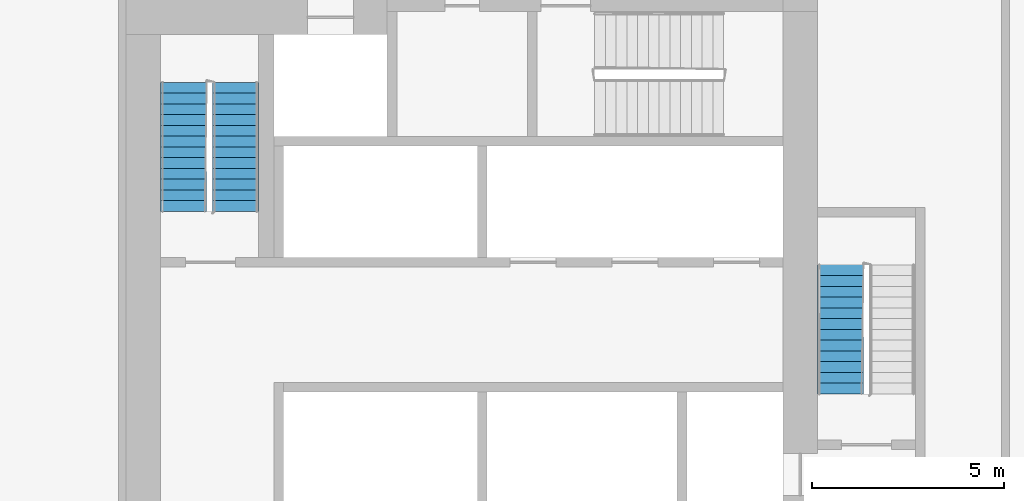
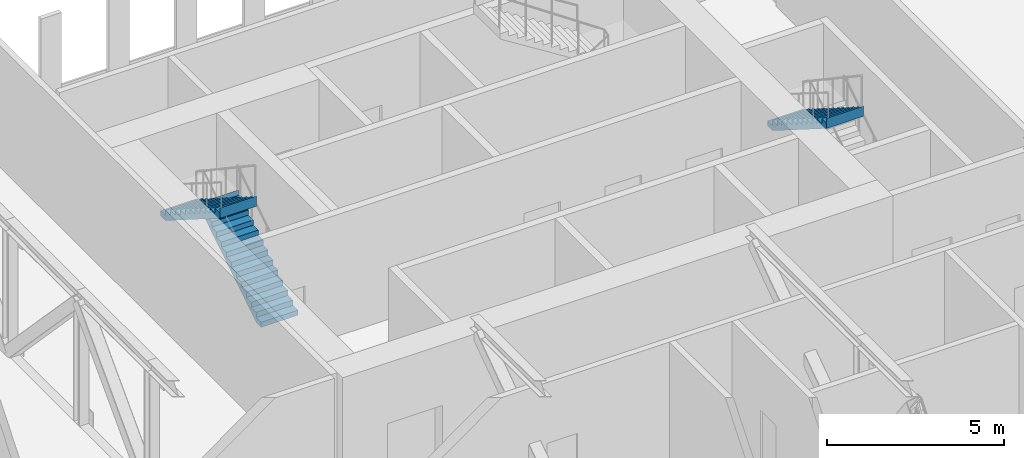
# One storey, part 19 of 22: 3 stair flights, 2 elements without a shape of their own.
"""IFC4 building model written with IfcOpenShell, lengths in metres."""

from ifc_helpers import new_model, si_unit, direction, frame, origin, place, context, subcontext, project, spatial, faceted_brep, material, type_object, element, aggregate, save


model = new_model("IFC4")

# Units and contexts
model_context = context("Model", 3, precision=1e-05, world=origin(), true_north=direction((0.0, 1.0)))
body_context = subcontext(model_context, "Body", "Model", "MODEL_VIEW")
ifc_project = project(units=[si_unit("LENGTHUNIT", "METRE"), si_unit("AREAUNIT", "SQUARE_METRE"), si_unit("VOLUMEUNIT", "CUBIC_METRE"), si_unit("PLANEANGLEUNIT", "RADIAN"), si_unit("MASSUNIT", "GRAM", prefix="KILO")], contexts=[model_context])

# Site, building, storey
site_placement = place(None, origin())
site = spatial("IfcSite", under=ifc_project, at=site_placement, CompositionType="ELEMENT")
building_placement = place(site_placement, origin())
building = spatial("IfcBuilding", under=site, at=building_placement, Name="Kajstack Hotel Tower", CompositionType="ELEMENT")
storey_placement = place(building_placement, frame((0.0, 0.0, 99.60009765625)))
storey = spatial("IfcBuildingStorey", under=building, at=storey_placement, Name="L21", CompositionType="ELEMENT", Elevation=99.60009765625)

# Stair, stair flight
ifc_material = material(Name="Concrete C40/50", Category="concrete")
stair_type = type_object("IfcStairType", Name="Exit stair 1200", PredefinedType="HALF_TURN_STAIR", material=ifc_material)
stair_1_placement = place(storey_placement, origin())
stair_1 = element("IfcStair", 1, at=stair_1_placement, inside=storey, type_object=stair_type, Name="L21 stair E1", PredefinedType="HALF_TURN_STAIR")
stair_flight_type = type_object("IfcStairFlightType", Name="Exit stair flight 1200", PredefinedType="STRAIGHT", material=ifc_material)
stair_flight_1_placement = place(storey_placement, frame((32.10009765625, 8.610107421875, 2.2998046875), z_axis=(0.0, 0.0, 1.0), x_axis=(0.0, -1.0, 0.0)))
stair_flight_1 = element("IfcStairFlight", 2, at=stair_flight_1_placement, type_object=stair_flight_type, Name="E1 flight 2", NumberOfRisers=13, NumberOfTreads=12, PredefinedType="STRAIGHT", RiserHeight=0.176923077, TreadLength=0.28, context=body_context, shape_type="Brep", body=[
    faceted_brep([(0.281005859375, -0.60009765625, 0.0), (3.360595703125, -0.60009765625, 1.94580078125), (3.360595703125, -0.60009765625, 2.300048828125), (3.360107421875, -0.60009765625, 2.300048828125), (3.360107421875, -0.60009765625, 2.123046875), (3.080078125, -0.60009765625, 2.123046875), (3.080078125, -0.60009765625, 1.946044921875), (2.800048828125, -0.60009765625, 1.946044921875), (2.800048828125, -0.60009765625, 1.769287109375), (2.52001953125, -0.60009765625, 1.769287109375), (2.52001953125, -0.60009765625, 1.59228515625), (2.239990234375, -0.60009765625, 1.59228515625), (2.239990234375, -0.60009765625, 1.415283203125), (1.9599609375, -0.60009765625, 1.415283203125), (1.9599609375, -0.60009765625, 1.238525390625), (1.679931640625, -0.60009765625, 1.238525390625), (1.679931640625, -0.60009765625, 1.0615234375), (1.39990234375, -0.60009765625, 1.0615234375), (1.39990234375, -0.60009765625, 0.884521484375), (1.1201171875, -0.60009765625, 0.884521484375), (1.1201171875, -0.60009765625, 0.707763671875), (0.840087890625, -0.60009765625, 0.707763671875), (0.840087890625, -0.60009765625, 0.53076171875), (0.56005859375, -0.60009765625, 0.53076171875), (0.56005859375, -0.60009765625, 0.353759765625), (0.280029296875, -0.60009765625, 0.353759765625), (0.280029296875, -0.60009765625, 0.177001953125), (-0.00048828125, -0.60009765625, 0.177001953125), (-0.00048828125, -0.60009765625, 0.0), (-0.00048828125, 0.60009765625, 0.0), (-0.00048828125, 0.60009765625, 0.177001953125), (0.280029296875, 0.60009765625, 0.177001953125), (0.280029296875, 0.60009765625, 0.353759765625), (0.56005859375, 0.60009765625, 0.353759765625), (0.56005859375, 0.60009765625, 0.53076171875), (0.840087890625, 0.60009765625, 0.53076171875), (0.840087890625, 0.60009765625, 0.707763671875), (1.1201171875, 0.60009765625, 0.707763671875), (1.1201171875, 0.60009765625, 0.884521484375), (1.39990234375, 0.60009765625, 0.884521484375), (1.39990234375, 0.60009765625, 1.0615234375), (1.679931640625, 0.60009765625, 1.0615234375), (1.679931640625, 0.60009765625, 1.238525390625), (1.9599609375, 0.60009765625, 1.238525390625), (1.9599609375, 0.60009765625, 1.415283203125), (2.239990234375, 0.60009765625, 1.415283203125), (2.239990234375, 0.60009765625, 1.59228515625), (2.52001953125, 0.60009765625, 1.59228515625), (2.52001953125, 0.60009765625, 1.769287109375), (2.800048828125, 0.60009765625, 1.769287109375), (2.800048828125, 0.60009765625, 1.946044921875), (3.080078125, 0.60009765625, 1.946044921875), (3.080078125, 0.60009765625, 2.123046875), (3.360107421875, 0.60009765625, 2.123046875), (3.360107421875, 0.60009765625, 2.300048828125), (3.360595703125, 0.60009765625, 2.300048828125), (3.360595703125, 0.60009765625, 1.94580078125), (0.281005859375, 0.60009765625, 0.0), (-0.00048828125, -0.300048828125, 0.177001953125), (-0.00048828125, 0.0, 0.177001953125), (-0.00048828125, 0.300048828125, 0.177001953125), (-0.00048828125, 0.300048828125, 0.0), (-0.00048828125, 0.0, 0.0), (-0.00048828125, -0.300048828125, 0.0), (0.280029296875, -0.300048828125, 0.177001953125), (0.280029296875, 0.0, 0.177001953125), (0.280029296875, 0.300048828125, 0.177001953125), (0.280029296875, -0.300048828125, 0.353759765625), (0.280029296875, 0.0, 0.353759765625), (0.280029296875, 0.300048828125, 0.353759765625), (0.56005859375, -0.300048828125, 0.353759765625), (0.56005859375, 0.0, 0.353759765625), (0.56005859375, 0.300048828125, 0.353759765625), (0.56005859375, -0.300048828125, 0.53076171875), (0.56005859375, 0.0, 0.53076171875), (0.56005859375, 0.300048828125, 0.53076171875), (0.840087890625, -0.300048828125, 0.53076171875), (0.840087890625, 0.0, 0.53076171875), (0.840087890625, 0.300048828125, 0.53076171875), (0.840087890625, -0.300048828125, 0.707763671875), (0.840087890625, 0.0, 0.707763671875), (0.840087890625, 0.300048828125, 0.707763671875), (1.1201171875, -0.300048828125, 0.707763671875), (1.1201171875, 0.0, 0.707763671875), (1.1201171875, 0.300048828125, 0.707763671875), (1.1201171875, -0.300048828125, 0.884521484375), (1.1201171875, 0.0, 0.884521484375), (1.1201171875, 0.300048828125, 0.884521484375), (1.39990234375, -0.300048828125, 0.884521484375), (1.39990234375, 0.0, 0.884521484375), (1.39990234375, 0.300048828125, 0.884521484375), (1.39990234375, -0.300048828125, 1.0615234375), (1.39990234375, 0.0, 1.0615234375), (1.39990234375, 0.300048828125, 1.0615234375), (1.679931640625, -0.300048828125, 1.0615234375), (1.679931640625, 0.0, 1.0615234375), (1.679931640625, 0.300048828125, 1.0615234375), (1.679931640625, -0.300048828125, 1.238525390625), (1.679931640625, 0.0, 1.238525390625), (1.679931640625, 0.300048828125, 1.238525390625), (1.9599609375, -0.300048828125, 1.238525390625), (1.9599609375, 0.0, 1.238525390625), (1.9599609375, 0.300048828125, 1.238525390625), (1.9599609375, -0.300048828125, 1.415283203125), (1.9599609375, 0.0, 1.415283203125), (1.9599609375, 0.300048828125, 1.415283203125), (2.239990234375, -0.300048828125, 1.415283203125), (2.239990234375, 0.0, 1.415283203125), (2.239990234375, 0.300048828125, 1.415283203125), (2.239990234375, -0.300048828125, 1.59228515625), (2.239990234375, 0.0, 1.59228515625), (2.239990234375, 0.300048828125, 1.59228515625), (2.52001953125, -0.300048828125, 1.59228515625), (2.52001953125, 0.0, 1.59228515625), (2.52001953125, 0.300048828125, 1.59228515625), (2.52001953125, -0.300048828125, 1.769287109375), (2.52001953125, 0.0, 1.769287109375), (2.52001953125, 0.300048828125, 1.769287109375), (2.800048828125, -0.300048828125, 1.769287109375), (2.800048828125, 0.0, 1.769287109375), (2.800048828125, 0.300048828125, 1.769287109375), (2.800048828125, -0.300048828125, 1.946044921875), (2.800048828125, 0.0, 1.946044921875), (2.800048828125, 0.300048828125, 1.946044921875), (3.080078125, -0.300048828125, 1.946044921875), (3.080078125, 0.0, 1.946044921875), (3.080078125, 0.300048828125, 1.946044921875), (3.080078125, -0.300048828125, 2.123046875), (3.080078125, 0.0, 2.123046875), (3.080078125, 0.300048828125, 2.123046875), (3.360107421875, -0.300048828125, 2.123046875), (3.360107421875, 0.0, 2.123046875), (3.360107421875, 0.300048828125, 2.123046875), (3.360107421875, -0.300048828125, 2.300048828125), (3.360107421875, 0.0, 2.300048828125), (3.360107421875, 0.300048828125, 2.300048828125), (3.360595703125, -0.300048828125, 2.300048828125), (3.360595703125, 0.0, 2.300048828125), (3.360595703125, 0.300048828125, 2.300048828125), (3.360595703125, -0.300048828125, 1.94580078125), (3.360595703125, 0.0, 1.94580078125), (3.360595703125, 0.300048828125, 1.94580078125), (0.281005859375, -0.300048828125, 0.0), (0.281005859375, 0.0, 0.0), (0.281005859375, 0.300048828125, 0.0)], [[[0, 1, 2, 3, 4, 5, 6, 7, 8, 9, 10, 11, 12, 13, 14, 15, 16, 17, 18, 19, 20, 21, 22, 23, 24, 25, 26, 27, 28]], [[29, 30, 31, 32, 33, 34, 35, 36, 37, 38, 39, 40, 41, 42, 43, 44, 45, 46, 47, 48, 49, 50, 51, 52, 53, 54, 55, 56, 57]], [[27, 58, 59, 60, 30, 29, 61, 62, 63, 28]], [[26, 64, 65, 66, 31, 30, 60, 59, 58, 27]], [[25, 67, 68, 69, 32, 31, 66, 65, 64, 26]], [[24, 70, 71, 72, 33, 32, 69, 68, 67, 25]], [[23, 73, 74, 75, 34, 33, 72, 71, 70, 24]], [[22, 76, 77, 78, 35, 34, 75, 74, 73, 23]], [[21, 79, 80, 81, 36, 35, 78, 77, 76, 22]], [[20, 82, 83, 84, 37, 36, 81, 80, 79, 21]], [[19, 85, 86, 87, 38, 37, 84, 83, 82, 20]], [[18, 88, 89, 90, 39, 38, 87, 86, 85, 19]], [[17, 91, 92, 93, 40, 39, 90, 89, 88, 18]], [[16, 94, 95, 96, 41, 40, 93, 92, 91, 17]], [[15, 97, 98, 99, 42, 41, 96, 95, 94, 16]], [[14, 100, 101, 102, 43, 42, 99, 98, 97, 15]], [[13, 103, 104, 105, 44, 43, 102, 101, 100, 14]], [[12, 106, 107, 108, 45, 44, 105, 104, 103, 13]], [[11, 109, 110, 111, 46, 45, 108, 107, 106, 12]], [[10, 112, 113, 114, 47, 46, 111, 110, 109, 11]], [[9, 115, 116, 117, 48, 47, 114, 113, 112, 10]], [[8, 118, 119, 120, 49, 48, 117, 116, 115, 9]], [[7, 121, 122, 123, 50, 49, 120, 119, 118, 8]], [[6, 124, 125, 126, 51, 50, 123, 122, 121, 7]], [[5, 127, 128, 129, 52, 51, 126, 125, 124, 6]], [[4, 130, 131, 132, 53, 52, 129, 128, 127, 5]], [[3, 133, 134, 135, 54, 53, 132, 131, 130, 4]], [[2, 136, 137, 138, 55, 54, 135, 134, 133, 3]], [[1, 139, 140, 141, 56, 55, 138, 137, 136, 2]], [[0, 142, 143, 144, 57, 56, 141, 140, 139, 1]], [[28, 63, 62, 61, 29, 57, 144, 143, 142, 0]]]),
])
aggregate(stair_1, [stair_flight_1])

# Stair, stair flights
stair_2_placement = place(storey_placement, origin())
stair_2 = element("IfcStair", 3, at=stair_2_placement, inside=storey, type_object=stair_type, Name="L21 stair E2", PredefinedType="HALF_TURN_STAIR")
stair_flight_2_placement = place(storey_placement, frame((16.35009765625, 10.0, 0.0), z_axis=(0.0, 0.0, 1.0), x_axis=(0.0, 1.0, 0.0)))
stair_flight_2 = element("IfcStairFlight", 4, at=stair_flight_2_placement, type_object=stair_flight_type, Name="E2 flight 1", NumberOfRisers=13, NumberOfTreads=12, PredefinedType="STRAIGHT", RiserHeight=0.176923077, TreadLength=0.28, context=body_context, shape_type="Brep", body=[
    faceted_brep([(0.281005859375, -0.60009765625, 0.0), (3.360595703125, -0.60009765625, 1.94580078125), (3.360595703125, -0.60009765625, 2.300048828125), (3.360107421875, -0.60009765625, 2.300048828125), (3.360107421875, -0.60009765625, 2.123046875), (3.080078125, -0.60009765625, 2.123046875), (3.080078125, -0.60009765625, 1.946044921875), (2.800048828125, -0.60009765625, 1.946044921875), (2.800048828125, -0.60009765625, 1.769287109375), (2.52001953125, -0.60009765625, 1.769287109375), (2.52001953125, -0.60009765625, 1.59228515625), (2.239990234375, -0.60009765625, 1.59228515625), (2.239990234375, -0.60009765625, 1.415283203125), (1.9599609375, -0.60009765625, 1.415283203125), (1.9599609375, -0.60009765625, 1.238525390625), (1.679931640625, -0.60009765625, 1.238525390625), (1.679931640625, -0.60009765625, 1.0615234375), (1.39990234375, -0.60009765625, 1.0615234375), (1.39990234375, -0.60009765625, 0.884521484375), (1.1201171875, -0.60009765625, 0.884521484375), (1.1201171875, -0.60009765625, 0.707763671875), (0.840087890625, -0.60009765625, 0.707763671875), (0.840087890625, -0.60009765625, 0.53076171875), (0.56005859375, -0.60009765625, 0.53076171875), (0.56005859375, -0.60009765625, 0.353759765625), (0.280029296875, -0.60009765625, 0.353759765625), (0.280029296875, -0.60009765625, 0.177001953125), (-0.00048828125, -0.60009765625, 0.177001953125), (-0.00048828125, -0.60009765625, 0.0), (-0.00048828125, 0.60009765625, 0.0), (-0.00048828125, 0.60009765625, 0.177001953125), (0.280029296875, 0.60009765625, 0.177001953125), (0.280029296875, 0.60009765625, 0.353759765625), (0.56005859375, 0.60009765625, 0.353759765625), (0.56005859375, 0.60009765625, 0.53076171875), (0.840087890625, 0.60009765625, 0.53076171875), (0.840087890625, 0.60009765625, 0.707763671875), (1.1201171875, 0.60009765625, 0.707763671875), (1.1201171875, 0.60009765625, 0.884521484375), (1.39990234375, 0.60009765625, 0.884521484375), (1.39990234375, 0.60009765625, 1.0615234375), (1.679931640625, 0.60009765625, 1.0615234375), (1.679931640625, 0.60009765625, 1.238525390625), (1.9599609375, 0.60009765625, 1.238525390625), (1.9599609375, 0.60009765625, 1.415283203125), (2.239990234375, 0.60009765625, 1.415283203125), (2.239990234375, 0.60009765625, 1.59228515625), (2.52001953125, 0.60009765625, 1.59228515625), (2.52001953125, 0.60009765625, 1.769287109375), (2.800048828125, 0.60009765625, 1.769287109375), (2.800048828125, 0.60009765625, 1.946044921875), (3.080078125, 0.60009765625, 1.946044921875), (3.080078125, 0.60009765625, 2.123046875), (3.360107421875, 0.60009765625, 2.123046875), (3.360107421875, 0.60009765625, 2.300048828125), (3.360595703125, 0.60009765625, 2.300048828125), (3.360595703125, 0.60009765625, 1.94580078125), (0.281005859375, 0.60009765625, 0.0), (-0.00048828125, -0.300048828125, 0.177001953125), (-0.00048828125, 0.0, 0.177001953125), (-0.00048828125, 0.300048828125, 0.177001953125), (-0.00048828125, 0.300048828125, 0.0), (-0.00048828125, 0.0, 0.0), (-0.00048828125, -0.300048828125, 0.0), (0.280029296875, -0.300048828125, 0.177001953125), (0.280029296875, 0.0, 0.177001953125), (0.280029296875, 0.300048828125, 0.177001953125), (0.280029296875, -0.300048828125, 0.353759765625), (0.280029296875, 0.0, 0.353759765625), (0.280029296875, 0.300048828125, 0.353759765625), (0.56005859375, -0.300048828125, 0.353759765625), (0.56005859375, 0.0, 0.353759765625), (0.56005859375, 0.300048828125, 0.353759765625), (0.56005859375, -0.300048828125, 0.53076171875), (0.56005859375, 0.0, 0.53076171875), (0.56005859375, 0.300048828125, 0.53076171875), (0.840087890625, -0.300048828125, 0.53076171875), (0.840087890625, 0.0, 0.53076171875), (0.840087890625, 0.300048828125, 0.53076171875), (0.840087890625, -0.300048828125, 0.707763671875), (0.840087890625, 0.0, 0.707763671875), (0.840087890625, 0.300048828125, 0.707763671875), (1.1201171875, -0.300048828125, 0.707763671875), (1.1201171875, 0.0, 0.707763671875), (1.1201171875, 0.300048828125, 0.707763671875), (1.1201171875, -0.300048828125, 0.884521484375), (1.1201171875, 0.0, 0.884521484375), (1.1201171875, 0.300048828125, 0.884521484375), (1.39990234375, -0.300048828125, 0.884521484375), (1.39990234375, 0.0, 0.884521484375), (1.39990234375, 0.300048828125, 0.884521484375), (1.39990234375, -0.300048828125, 1.0615234375), (1.39990234375, 0.0, 1.0615234375), (1.39990234375, 0.300048828125, 1.0615234375), (1.679931640625, -0.300048828125, 1.0615234375), (1.679931640625, 0.0, 1.0615234375), (1.679931640625, 0.300048828125, 1.0615234375), (1.679931640625, -0.300048828125, 1.238525390625), (1.679931640625, 0.0, 1.238525390625), (1.679931640625, 0.300048828125, 1.238525390625), (1.9599609375, -0.300048828125, 1.238525390625), (1.9599609375, 0.0, 1.238525390625), (1.9599609375, 0.300048828125, 1.238525390625), (1.9599609375, -0.300048828125, 1.415283203125), (1.9599609375, 0.0, 1.415283203125), (1.9599609375, 0.300048828125, 1.415283203125), (2.239990234375, -0.300048828125, 1.415283203125), (2.239990234375, 0.0, 1.415283203125), (2.239990234375, 0.300048828125, 1.415283203125), (2.239990234375, -0.300048828125, 1.59228515625), (2.239990234375, 0.0, 1.59228515625), (2.239990234375, 0.300048828125, 1.59228515625), (2.52001953125, -0.300048828125, 1.59228515625), (2.52001953125, 0.0, 1.59228515625), (2.52001953125, 0.300048828125, 1.59228515625), (2.52001953125, -0.300048828125, 1.769287109375), (2.52001953125, 0.0, 1.769287109375), (2.52001953125, 0.300048828125, 1.769287109375), (2.800048828125, -0.300048828125, 1.769287109375), (2.800048828125, 0.0, 1.769287109375), (2.800048828125, 0.300048828125, 1.769287109375), (2.800048828125, -0.300048828125, 1.946044921875), (2.800048828125, 0.0, 1.946044921875), (2.800048828125, 0.300048828125, 1.946044921875), (3.080078125, -0.300048828125, 1.946044921875), (3.080078125, 0.0, 1.946044921875), (3.080078125, 0.300048828125, 1.946044921875), (3.080078125, -0.300048828125, 2.123046875), (3.080078125, 0.0, 2.123046875), (3.080078125, 0.300048828125, 2.123046875), (3.360107421875, -0.300048828125, 2.123046875), (3.360107421875, 0.0, 2.123046875), (3.360107421875, 0.300048828125, 2.123046875), (3.360107421875, -0.300048828125, 2.300048828125), (3.360107421875, 0.0, 2.300048828125), (3.360107421875, 0.300048828125, 2.300048828125), (3.360595703125, -0.300048828125, 2.300048828125), (3.360595703125, 0.0, 2.300048828125), (3.360595703125, 0.300048828125, 2.300048828125), (3.360595703125, -0.300048828125, 1.94580078125), (3.360595703125, 0.0, 1.94580078125), (3.360595703125, 0.300048828125, 1.94580078125), (0.281005859375, -0.300048828125, 0.0), (0.281005859375, 0.0, 0.0), (0.281005859375, 0.300048828125, 0.0)], [[[0, 1, 2, 3, 4, 5, 6, 7, 8, 9, 10, 11, 12, 13, 14, 15, 16, 17, 18, 19, 20, 21, 22, 23, 24, 25, 26, 27, 28]], [[29, 30, 31, 32, 33, 34, 35, 36, 37, 38, 39, 40, 41, 42, 43, 44, 45, 46, 47, 48, 49, 50, 51, 52, 53, 54, 55, 56, 57]], [[27, 58, 59, 60, 30, 29, 61, 62, 63, 28]], [[26, 64, 65, 66, 31, 30, 60, 59, 58, 27]], [[25, 67, 68, 69, 32, 31, 66, 65, 64, 26]], [[24, 70, 71, 72, 33, 32, 69, 68, 67, 25]], [[23, 73, 74, 75, 34, 33, 72, 71, 70, 24]], [[22, 76, 77, 78, 35, 34, 75, 74, 73, 23]], [[21, 79, 80, 81, 36, 35, 78, 77, 76, 22]], [[20, 82, 83, 84, 37, 36, 81, 80, 79, 21]], [[19, 85, 86, 87, 38, 37, 84, 83, 82, 20]], [[18, 88, 89, 90, 39, 38, 87, 86, 85, 19]], [[17, 91, 92, 93, 40, 39, 90, 89, 88, 18]], [[16, 94, 95, 96, 41, 40, 93, 92, 91, 17]], [[15, 97, 98, 99, 42, 41, 96, 95, 94, 16]], [[14, 100, 101, 102, 43, 42, 99, 98, 97, 15]], [[13, 103, 104, 105, 44, 43, 102, 101, 100, 14]], [[12, 106, 107, 108, 45, 44, 105, 104, 103, 13]], [[11, 109, 110, 111, 46, 45, 108, 107, 106, 12]], [[10, 112, 113, 114, 47, 46, 111, 110, 109, 11]], [[9, 115, 116, 117, 48, 47, 114, 113, 112, 10]], [[8, 118, 119, 120, 49, 48, 117, 116, 115, 9]], [[7, 121, 122, 123, 50, 49, 120, 119, 118, 8]], [[6, 124, 125, 126, 51, 50, 123, 122, 121, 7]], [[5, 127, 128, 129, 52, 51, 126, 125, 124, 6]], [[4, 130, 131, 132, 53, 52, 129, 128, 127, 5]], [[3, 133, 134, 135, 54, 53, 132, 131, 130, 4]], [[2, 136, 137, 138, 55, 54, 135, 134, 133, 3]], [[1, 139, 140, 141, 56, 55, 138, 137, 136, 2]], [[0, 142, 143, 144, 57, 56, 141, 140, 139, 1]], [[28, 63, 62, 61, 29, 57, 144, 143, 142, 0]]]),
])
stair_flight_3_placement = place(storey_placement, frame((15.0, 13.360107421875, 2.2998046875), z_axis=(0.0, 0.0, 1.0), x_axis=(0.0, -1.0, 0.0)))
stair_flight_3 = element("IfcStairFlight", 5, at=stair_flight_3_placement, type_object=stair_flight_type, Name="E2 flight 2", NumberOfRisers=13, NumberOfTreads=12, PredefinedType="STRAIGHT", RiserHeight=0.176923077, TreadLength=0.28, context=body_context, shape_type="Brep", body=[
    faceted_brep([(0.281005859375, -0.60009765625, 0.0), (3.360595703125, -0.60009765625, 1.94580078125), (3.360595703125, -0.60009765625, 2.300048828125), (3.360107421875, -0.60009765625, 2.300048828125), (3.360107421875, -0.60009765625, 2.123046875), (3.080078125, -0.60009765625, 2.123046875), (3.080078125, -0.60009765625, 1.946044921875), (2.800048828125, -0.60009765625, 1.946044921875), (2.800048828125, -0.60009765625, 1.769287109375), (2.52001953125, -0.60009765625, 1.769287109375), (2.52001953125, -0.60009765625, 1.59228515625), (2.239990234375, -0.60009765625, 1.59228515625), (2.239990234375, -0.60009765625, 1.415283203125), (1.9599609375, -0.60009765625, 1.415283203125), (1.9599609375, -0.60009765625, 1.238525390625), (1.679931640625, -0.60009765625, 1.238525390625), (1.679931640625, -0.60009765625, 1.0615234375), (1.39990234375, -0.60009765625, 1.0615234375), (1.39990234375, -0.60009765625, 0.884521484375), (1.1201171875, -0.60009765625, 0.884521484375), (1.1201171875, -0.60009765625, 0.707763671875), (0.840087890625, -0.60009765625, 0.707763671875), (0.840087890625, -0.60009765625, 0.53076171875), (0.56005859375, -0.60009765625, 0.53076171875), (0.56005859375, -0.60009765625, 0.353759765625), (0.280029296875, -0.60009765625, 0.353759765625), (0.280029296875, -0.60009765625, 0.177001953125), (-0.00048828125, -0.60009765625, 0.177001953125), (-0.00048828125, -0.60009765625, 0.0), (-0.00048828125, 0.60009765625, 0.0), (-0.00048828125, 0.60009765625, 0.177001953125), (0.280029296875, 0.60009765625, 0.177001953125), (0.280029296875, 0.60009765625, 0.353759765625), (0.56005859375, 0.60009765625, 0.353759765625), (0.56005859375, 0.60009765625, 0.53076171875), (0.840087890625, 0.60009765625, 0.53076171875), (0.840087890625, 0.60009765625, 0.707763671875), (1.1201171875, 0.60009765625, 0.707763671875), (1.1201171875, 0.60009765625, 0.884521484375), (1.39990234375, 0.60009765625, 0.884521484375), (1.39990234375, 0.60009765625, 1.0615234375), (1.679931640625, 0.60009765625, 1.0615234375), (1.679931640625, 0.60009765625, 1.238525390625), (1.9599609375, 0.60009765625, 1.238525390625), (1.9599609375, 0.60009765625, 1.415283203125), (2.239990234375, 0.60009765625, 1.415283203125), (2.239990234375, 0.60009765625, 1.59228515625), (2.52001953125, 0.60009765625, 1.59228515625), (2.52001953125, 0.60009765625, 1.769287109375), (2.800048828125, 0.60009765625, 1.769287109375), (2.800048828125, 0.60009765625, 1.946044921875), (3.080078125, 0.60009765625, 1.946044921875), (3.080078125, 0.60009765625, 2.123046875), (3.360107421875, 0.60009765625, 2.123046875), (3.360107421875, 0.60009765625, 2.300048828125), (3.360595703125, 0.60009765625, 2.300048828125), (3.360595703125, 0.60009765625, 1.94580078125), (0.281005859375, 0.60009765625, 0.0), (-0.00048828125, -0.300048828125, 0.177001953125), (-0.00048828125, 0.0, 0.177001953125), (-0.00048828125, 0.300048828125, 0.177001953125), (-0.00048828125, 0.300048828125, 0.0), (-0.00048828125, 0.0, 0.0), (-0.00048828125, -0.300048828125, 0.0), (0.280029296875, -0.300048828125, 0.177001953125), (0.280029296875, 0.0, 0.177001953125), (0.280029296875, 0.300048828125, 0.177001953125), (0.280029296875, -0.300048828125, 0.353759765625), (0.280029296875, 0.0, 0.353759765625), (0.280029296875, 0.300048828125, 0.353759765625), (0.56005859375, -0.300048828125, 0.353759765625), (0.56005859375, 0.0, 0.353759765625), (0.56005859375, 0.300048828125, 0.353759765625), (0.56005859375, -0.300048828125, 0.53076171875), (0.56005859375, 0.0, 0.53076171875), (0.56005859375, 0.300048828125, 0.53076171875), (0.840087890625, -0.300048828125, 0.53076171875), (0.840087890625, 0.0, 0.53076171875), (0.840087890625, 0.300048828125, 0.53076171875), (0.840087890625, -0.300048828125, 0.707763671875), (0.840087890625, 0.0, 0.707763671875), (0.840087890625, 0.300048828125, 0.707763671875), (1.1201171875, -0.300048828125, 0.707763671875), (1.1201171875, 0.0, 0.707763671875), (1.1201171875, 0.300048828125, 0.707763671875), (1.1201171875, -0.300048828125, 0.884521484375), (1.1201171875, 0.0, 0.884521484375), (1.1201171875, 0.300048828125, 0.884521484375), (1.39990234375, -0.300048828125, 0.884521484375), (1.39990234375, 0.0, 0.884521484375), (1.39990234375, 0.300048828125, 0.884521484375), (1.39990234375, -0.300048828125, 1.0615234375), (1.39990234375, 0.0, 1.0615234375), (1.39990234375, 0.300048828125, 1.0615234375), (1.679931640625, -0.300048828125, 1.0615234375), (1.679931640625, 0.0, 1.0615234375), (1.679931640625, 0.300048828125, 1.0615234375), (1.679931640625, -0.300048828125, 1.238525390625), (1.679931640625, 0.0, 1.238525390625), (1.679931640625, 0.300048828125, 1.238525390625), (1.9599609375, -0.300048828125, 1.238525390625), (1.9599609375, 0.0, 1.238525390625), (1.9599609375, 0.300048828125, 1.238525390625), (1.9599609375, -0.300048828125, 1.415283203125), (1.9599609375, 0.0, 1.415283203125), (1.9599609375, 0.300048828125, 1.415283203125), (2.239990234375, -0.300048828125, 1.415283203125), (2.239990234375, 0.0, 1.415283203125), (2.239990234375, 0.300048828125, 1.415283203125), (2.239990234375, -0.300048828125, 1.59228515625), (2.239990234375, 0.0, 1.59228515625), (2.239990234375, 0.300048828125, 1.59228515625), (2.52001953125, -0.300048828125, 1.59228515625), (2.52001953125, 0.0, 1.59228515625), (2.52001953125, 0.300048828125, 1.59228515625), (2.52001953125, -0.300048828125, 1.769287109375), (2.52001953125, 0.0, 1.769287109375), (2.52001953125, 0.300048828125, 1.769287109375), (2.800048828125, -0.300048828125, 1.769287109375), (2.800048828125, 0.0, 1.769287109375), (2.800048828125, 0.300048828125, 1.769287109375), (2.800048828125, -0.300048828125, 1.946044921875), (2.800048828125, 0.0, 1.946044921875), (2.800048828125, 0.300048828125, 1.946044921875), (3.080078125, -0.300048828125, 1.946044921875), (3.080078125, 0.0, 1.946044921875), (3.080078125, 0.300048828125, 1.946044921875), (3.080078125, -0.300048828125, 2.123046875), (3.080078125, 0.0, 2.123046875), (3.080078125, 0.300048828125, 2.123046875), (3.360107421875, -0.300048828125, 2.123046875), (3.360107421875, 0.0, 2.123046875), (3.360107421875, 0.300048828125, 2.123046875), (3.360107421875, -0.300048828125, 2.300048828125), (3.360107421875, 0.0, 2.300048828125), (3.360107421875, 0.300048828125, 2.300048828125), (3.360595703125, -0.300048828125, 2.300048828125), (3.360595703125, 0.0, 2.300048828125), (3.360595703125, 0.300048828125, 2.300048828125), (3.360595703125, -0.300048828125, 1.94580078125), (3.360595703125, 0.0, 1.94580078125), (3.360595703125, 0.300048828125, 1.94580078125), (0.281005859375, -0.300048828125, 0.0), (0.281005859375, 0.0, 0.0), (0.281005859375, 0.300048828125, 0.0)], [[[0, 1, 2, 3, 4, 5, 6, 7, 8, 9, 10, 11, 12, 13, 14, 15, 16, 17, 18, 19, 20, 21, 22, 23, 24, 25, 26, 27, 28]], [[29, 30, 31, 32, 33, 34, 35, 36, 37, 38, 39, 40, 41, 42, 43, 44, 45, 46, 47, 48, 49, 50, 51, 52, 53, 54, 55, 56, 57]], [[27, 58, 59, 60, 30, 29, 61, 62, 63, 28]], [[26, 64, 65, 66, 31, 30, 60, 59, 58, 27]], [[25, 67, 68, 69, 32, 31, 66, 65, 64, 26]], [[24, 70, 71, 72, 33, 32, 69, 68, 67, 25]], [[23, 73, 74, 75, 34, 33, 72, 71, 70, 24]], [[22, 76, 77, 78, 35, 34, 75, 74, 73, 23]], [[21, 79, 80, 81, 36, 35, 78, 77, 76, 22]], [[20, 82, 83, 84, 37, 36, 81, 80, 79, 21]], [[19, 85, 86, 87, 38, 37, 84, 83, 82, 20]], [[18, 88, 89, 90, 39, 38, 87, 86, 85, 19]], [[17, 91, 92, 93, 40, 39, 90, 89, 88, 18]], [[16, 94, 95, 96, 41, 40, 93, 92, 91, 17]], [[15, 97, 98, 99, 42, 41, 96, 95, 94, 16]], [[14, 100, 101, 102, 43, 42, 99, 98, 97, 15]], [[13, 103, 104, 105, 44, 43, 102, 101, 100, 14]], [[12, 106, 107, 108, 45, 44, 105, 104, 103, 13]], [[11, 109, 110, 111, 46, 45, 108, 107, 106, 12]], [[10, 112, 113, 114, 47, 46, 111, 110, 109, 11]], [[9, 115, 116, 117, 48, 47, 114, 113, 112, 10]], [[8, 118, 119, 120, 49, 48, 117, 116, 115, 9]], [[7, 121, 122, 123, 50, 49, 120, 119, 118, 8]], [[6, 124, 125, 126, 51, 50, 123, 122, 121, 7]], [[5, 127, 128, 129, 52, 51, 126, 125, 124, 6]], [[4, 130, 131, 132, 53, 52, 129, 128, 127, 5]], [[3, 133, 134, 135, 54, 53, 132, 131, 130, 4]], [[2, 136, 137, 138, 55, 54, 135, 134, 133, 3]], [[1, 139, 140, 141, 56, 55, 138, 137, 136, 2]], [[0, 142, 143, 144, 57, 56, 141, 140, 139, 1]], [[28, 63, 62, 61, 29, 57, 144, 143, 142, 0]]]),
])
aggregate(stair_2, [stair_flight_2, stair_flight_3])

save(model, "model.ifc")
